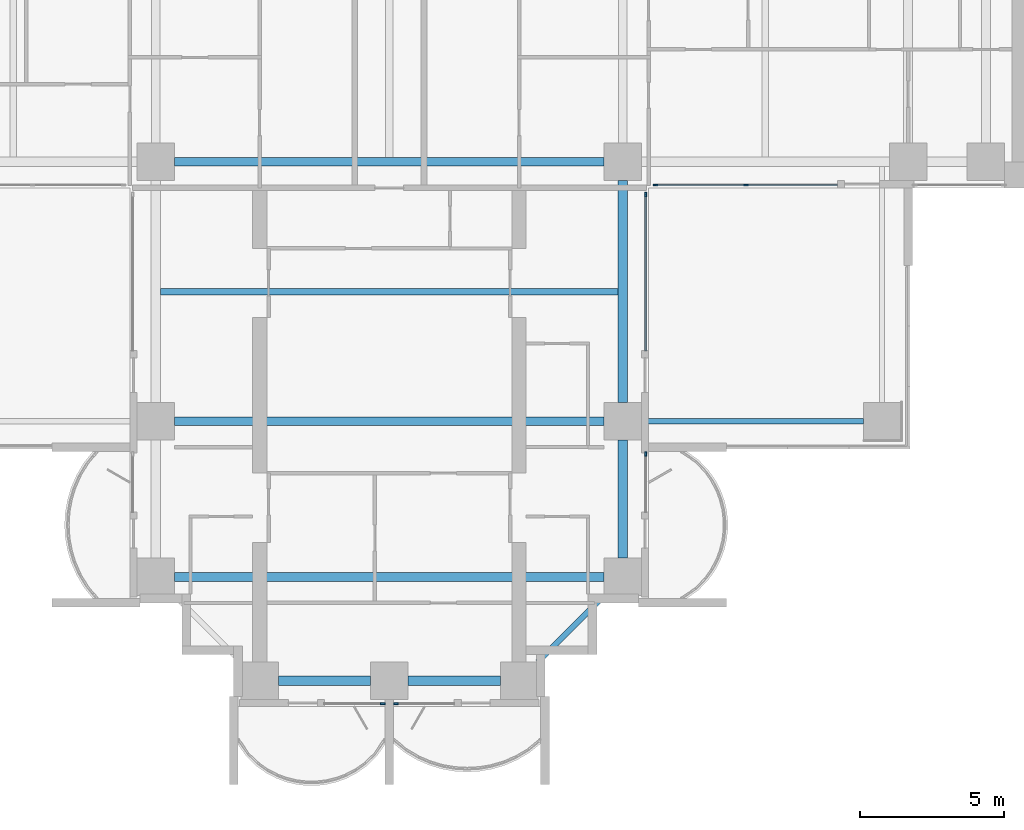
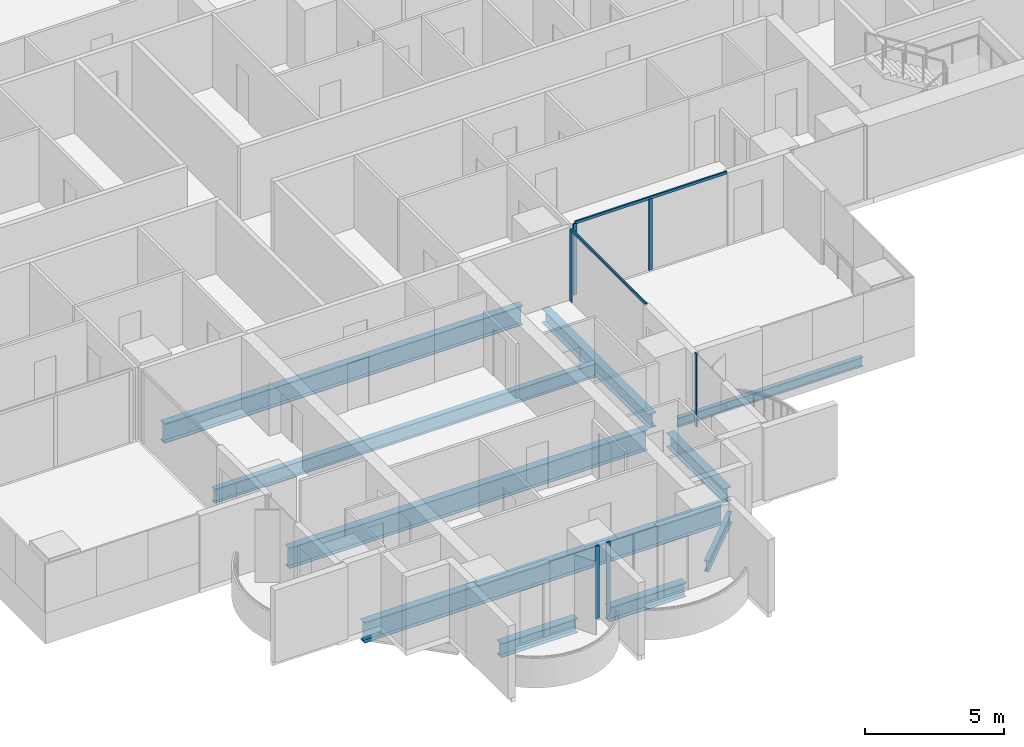
# One storey, part 3 of 21: 10 beams, 8 members, 5 elements without a shape of their own.
"""IFC4 building model written with IfcOpenShell, lengths in metres."""

from ifc_helpers import new_model, si_unit, direction, frame, origin, origin_2d, place, context, subcontext, project, spatial, rectangle, i_section, extrude, material, material_profile, profile_set, type_object, element, aggregate, save


model = new_model("IFC4")

# Units and contexts
model_context = context("Model", 3, precision=1e-05, world=origin(), true_north=direction((0.0, 1.0)))
body_context = subcontext(model_context, "Body", "Model", "MODEL_VIEW")
ifc_project = project(units=[si_unit("LENGTHUNIT", "METRE"), si_unit("AREAUNIT", "SQUARE_METRE"), si_unit("VOLUMEUNIT", "CUBIC_METRE"), si_unit("PLANEANGLEUNIT", "RADIAN"), si_unit("MASSUNIT", "GRAM", prefix="KILO")], contexts=[model_context])

# Site, building, storey
site_placement = place(None, origin())
site = spatial("IfcSite", under=ifc_project, at=site_placement, CompositionType="ELEMENT")
building_placement = place(site_placement, origin())
building = spatial("IfcBuilding", under=site, at=building_placement, Name="Perihelion Cross Residences", CompositionType="ELEMENT")
storey_placement = place(building_placement, frame((0.0, 0.0, 89.0)))
storey = spatial("IfcBuildingStorey", under=building, at=storey_placement, Name="L20", CompositionType="ELEMENT", Elevation=89.0)

# Curtain wall, member
ifc_material_1 = material(Name="Bronze anodised aluminium, tinted glazing", Category="aluminium")
curtain_wall_type = type_object("IfcCurtainWallType", Name="CW1", PredefinedType="NOTDEFINED", material=ifc_material_1)
curtain_wall_1_placement = place(storey_placement, origin())
curtain_wall_1 = element("IfcCurtainWall", 1, at=curtain_wall_1_placement, inside=storey, type_object=curtain_wall_type, Name="Curtain wall CW1 L20 south tip south bay 1", PredefinedType="NOTDEFINED")
ifc_material_2 = material(Name="Bronze anodised aluminium", Category="aluminium")
ifc_material_profile_1 = material_profile(ifc_material_2, rectangle(XDim=0.06005859375, YDim=0.159912109375, at=origin_2d()), Name="CW1 mullion")
ifc_profile_set_1 = profile_set([ifc_material_profile_1], Name="Bronze anodised aluminium")
member_type_1 = type_object("IfcMemberType", Name="CW1 mullion", PredefinedType="MULLION", material=ifc_profile_set_1)
member_1_placement = place(storey_placement, frame((-0.22998046875, -26.89990234375, 0.0), z_axis=(0.0, 0.0, 1.0), x_axis=(0.0, 1.0, 0.0)))
member_1 = element("IfcMember", 2, at=member_1_placement, type_object=member_type_1, Name="CW1 mullion 2", PredefinedType="MULLION", context=body_context, shape_type="SweptSolid", body=[
    extrude(rectangle(XDim=0.06005859375, YDim=0.159912109375, at=origin_2d()), origin(), (0.0, 0.0, 1.0), 3.199951171875),
])
aggregate(curtain_wall_1, [member_1])

curtain_wall_2_placement = place(storey_placement, origin())
curtain_wall_2 = element("IfcCurtainWall", 3, at=curtain_wall_2_placement, inside=storey, type_object=curtain_wall_type, Name="Curtain wall CW1 L20 south tip south bay 2", PredefinedType="NOTDEFINED")
member_2_placement = place(storey_placement, frame((0.22998046875, -26.89990234375, 0.0), z_axis=(0.0, 0.0, 1.0), x_axis=(0.0, 1.0, 0.0)))
member_2 = element("IfcMember", 4, at=member_2_placement, type_object=member_type_1, Name="CW1 mullion 1", PredefinedType="MULLION", context=body_context, shape_type="SweptSolid", body=[
    extrude(rectangle(XDim=0.06005859375, YDim=0.159912109375, at=origin_2d()), origin(), (0.0, 0.0, 1.0), 3.199951171875),
])
aggregate(curtain_wall_2, [member_2])

curtain_wall_3_placement = place(storey_placement, origin())
curtain_wall_3 = element("IfcCurtainWall", 5, at=curtain_wall_3_placement, inside=storey, type_object=curtain_wall_type, Name="Curtain wall CW1 L20 south side east bay 1", PredefinedType="NOTDEFINED")
member_3_placement = place(storey_placement, frame((8.89990234375, -18.22998046875, 0.0), z_axis=(0.0, 0.0, 1.0), x_axis=(-1.0, 0.0, 0.0)))
member_3 = element("IfcMember", 6, at=member_3_placement, type_object=member_type_1, Name="CW1 mullion 2", PredefinedType="MULLION", context=body_context, shape_type="SweptSolid", body=[
    extrude(rectangle(XDim=0.06005859375, YDim=0.159912109375, at=origin_2d()), origin(), (0.0, 0.0, 1.0), 3.199951171875),
])
aggregate(curtain_wall_3, [member_3])

curtain_wall_4_placement = place(storey_placement, origin())
curtain_wall_4 = element("IfcCurtainWall", 7, at=curtain_wall_4_placement, inside=storey, type_object=curtain_wall_type, Name="Curtain wall CW1 L20 south side east bay 2", PredefinedType="NOTDEFINED")
member_4_placement = place(storey_placement, frame((8.89990234375, -9.22998046875, 0.0), z_axis=(0.0, 0.0, 1.0), x_axis=(-1.0, 0.0, 0.0)))
member_4 = element("IfcMember", 8, at=member_4_placement, type_object=member_type_1, Name="CW1 mullion 2", PredefinedType="MULLION", context=body_context, shape_type="SweptSolid", body=[
    extrude(rectangle(XDim=0.06005859375, YDim=0.159912109375, at=origin_2d()), origin(), (0.0, 0.0, 1.0), 3.139892578125),
])

# Curtain wall, members
curtain_wall_5_placement = place(storey_placement, origin())
curtain_wall_5 = element("IfcCurtainWall", 9, at=curtain_wall_5_placement, inside=storey, type_object=curtain_wall_type, Name="Curtain wall CW1 L20 east side south bay 1", PredefinedType="NOTDEFINED")
member_5_placement = place(storey_placement, frame((9.22998046875, -8.89990234375, 0.0), z_axis=(0.0, 0.0, 1.0), x_axis=(0.0, 1.0, 0.0)))
member_5 = element("IfcMember", 10, at=member_5_placement, type_object=member_type_1, Name="CW1 mullion 1", PredefinedType="MULLION", context=body_context, shape_type="SweptSolid", body=[
    extrude(rectangle(XDim=0.06005859375, YDim=0.159912109375, at=origin_2d()), origin(), (0.0, 0.0, 1.0), 3.139892578125),
])
member_6_placement = place(storey_placement, frame((12.375, -8.89990234375, 0.0), z_axis=(0.0, 0.0, 1.0), x_axis=(0.0, 1.0, 0.0)))
member_6 = element("IfcMember", 11, at=member_6_placement, type_object=member_type_1, Name="CW1 mullion 2", PredefinedType="MULLION", context=body_context, shape_type="SweptSolid", body=[
    extrude(rectangle(XDim=0.06005859375, YDim=0.159912109375, at=origin_2d()), origin(), (0.0, 0.0, 1.0), 3.139892578125),
])

# Member
ifc_material_3 = material(Name="Bronze anodised aluminium", Category="aluminium")
ifc_material_profile_2 = material_profile(ifc_material_3, rectangle(XDim=0.06005859375, YDim=0.1201171875, at=origin_2d()), Name="CW1 transom")
ifc_profile_set_2 = profile_set([ifc_material_profile_2], Name="Bronze anodised aluminium")
member_type_2 = type_object("IfcMemberType", Name="CW1 transom", PredefinedType="USERDEFINED", material=ifc_profile_set_2)
member_7_placement = place(storey_placement, frame((8.89990234375, -14.64990234375, 3.169921875), z_axis=(0.0, 1.0, 0.0), x_axis=(-1.0, 0.0, 0.0)))
member_7 = element("IfcMember", 12, at=member_7_placement, type_object=member_type_2, Name="CW1 head transom", ObjectType="TRANSOM", PredefinedType="USERDEFINED", context=body_context, shape_type="SweptSolid", body=[
    extrude(rectangle(XDim=0.06005859375, YDim=0.1201171875, at=origin_2d()), origin(), (0.0, 0.0, 1.0), 5.419921875),
])

aggregate(curtain_wall_4, [member_4, member_7])

member_8_placement = place(storey_placement, frame((9.22998046875, -8.89990234375, 3.169921875), z_axis=(1.0, 0.0, 0.0), x_axis=(0.0, 1.0, 0.0)))
member_8 = element("IfcMember", 13, at=member_8_placement, type_object=member_type_2, Name="CW1 head transom", ObjectType="TRANSOM", PredefinedType="USERDEFINED", context=body_context, shape_type="SweptSolid", body=[
    extrude(rectangle(XDim=0.06005859375, YDim=0.1201171875, at=origin_2d()), origin(), (0.0, 0.0, 1.0), 6.320068359375),
])

aggregate(curtain_wall_5, [member_5, member_6, member_8])

# Beams
ifc_material_4 = material(Name="Steel S355", Category="steel")
ifc_material_profile_3 = material_profile(ifc_material_4, i_section(OverallWidth=0.177978515625, OverallDepth=0.406005859375, WebThickness=0.0078125, FlangeThickness=0.0126953125, at=origin_2d()), Name="W410x60")
ifc_profile_set_3 = profile_set([ifc_material_profile_3], Name="Steel S355")
beam_type_1 = type_object("IfcBeamType", Name="Core edge beam W410x60", PredefinedType="BEAM", material=ifc_profile_set_3)
beam_1_placement = place(storey_placement, frame((8.75, -17.10009765625, -0.452880859375), z_axis=(1.0, 0.0, 0.0), x_axis=(0.0, 1.0, 0.0)))
element("IfcBeam", 14, at=beam_1_placement, inside=storey, type_object=beam_type_1, Name="Core edge beam TB2 L20 corner no. 6", PredefinedType="BEAM", context=body_context, shape_type="SweptSolid", body=[
    extrude(i_section(OverallWidth=0.177978515625, OverallDepth=0.406005859375, WebThickness=0.0078125, FlangeThickness=0.0126953125, at=origin_2d()), origin(), (0.0, 0.0, 1.0), 7.699951171875),
])
ifc_material_5 = material(Name="Steel S355", Category="steel")
ifc_material_profile_4 = material_profile(ifc_material_5, i_section(OverallWidth=0.324951171875, OverallDepth=0.616943359375, WebThickness=0.013916015625, FlangeThickness=0.021484375, at=origin_2d()), Name="W610x174")
ifc_profile_set_4 = profile_set([ifc_material_profile_4], Name="Steel S355")
beam_type_2 = type_object("IfcBeamType", Name="Edge beam W610x174", PredefinedType="SPANDREL", material=ifc_profile_set_4)
for number, where, z_axis, x_axis, name in (
    (15, (-3.85009765625, -26.10009765625, -0.55859375), (1.0, 0.0, 0.0), (0.0, 1.0, 0.0), "Edge beam SB2 L20 no. 4"),
    (16, (0.64990234375, -26.10009765625, -0.55859375), (1.0, 0.0, 0.0), (0.0, 1.0, 0.0), "Edge beam SB2 L20 no. 10"),
):
    element("IfcBeam", number, at=place(storey_placement, frame(where, z_axis=z_axis, x_axis=x_axis)), inside=storey, type_object=beam_type_2, Name=name, PredefinedType="SPANDREL", context=body_context, shape_type="SweptSolid", body=[
        extrude(i_section(OverallWidth=0.324951171875, OverallDepth=0.616943359375, WebThickness=0.013916015625, FlangeThickness=0.021484375, at=origin_2d()), origin(), (0.0, 0.0, 1.0), 3.2001953125),
    ])
beam_2_placement = place(storey_placement, frame((8.10009765625, -21.85009765625, -0.55859375), z_axis=(0.0, 1.0, 0.0), x_axis=(-1.0, 0.0, 0.0)))
element("IfcBeam", 17, at=beam_2_placement, inside=storey, type_object=beam_type_2, Name="Edge beam SB2 L20 no. 17", PredefinedType="SPANDREL", context=body_context, shape_type="SweptSolid", body=[
    extrude(i_section(OverallWidth=0.324951171875, OverallDepth=0.616943359375, WebThickness=0.013916015625, FlangeThickness=0.021484375, at=origin_2d()), origin(), (0.0, 0.0, 1.0), 4.10009765625),
])
beam_3_placement = place(storey_placement, frame((8.10009765625, -16.449951171875, -0.55859375), z_axis=(0.0, 1.0, 0.0), x_axis=(-1.0, 0.0, 0.0)))
element("IfcBeam", 18, at=beam_3_placement, inside=storey, type_object=beam_type_2, Name="Edge beam SB2 L20 no. 16", PredefinedType="SPANDREL", context=body_context, shape_type="SweptSolid", body=[
    extrude(i_section(OverallWidth=0.324951171875, OverallDepth=0.616943359375, WebThickness=0.013916015625, FlangeThickness=0.021484375, at=origin_2d()), origin(), (0.0, 0.0, 1.0), 7.699951171875),
])
ifc_material_6 = material(Name="Steel S355", Category="steel")
ifc_material_profile_5 = material_profile(ifc_material_6, i_section(OverallWidth=0.304931640625, OverallDepth=0.904052734375, WebThickness=0.01513671875, FlangeThickness=0.02001953125, at=origin_2d()), Name="W920x201")
ifc_profile_set_5 = profile_set([ifc_material_profile_5], Name="Steel S355")
beam_type_3 = type_object("IfcBeamType", Name="Floor girder W920x201", PredefinedType="BEAM", material=ifc_profile_set_5)
for number, where, z_axis, x_axis, name in (
    (19, (-7.449951171875, -17.10009765625, -0.701904296875), (1.0, 0.0, 0.0), (0.0, 1.0, 0.0), "Girder G2 L20 no. 3"),
    (20, (-7.449951171875, -22.5, -0.701904296875), (1.0, 0.0, 0.0), (0.0, 1.0, 0.0), "Girder G2 L20 no. 4"),
):
    element("IfcBeam", number, at=place(storey_placement, frame(where, z_axis=z_axis, x_axis=x_axis)), inside=storey, type_object=beam_type_3, Name=name, PredefinedType="BEAM", context=body_context, shape_type="SweptSolid", body=[
        extrude(i_section(OverallWidth=0.304931640625, OverallDepth=0.904052734375, WebThickness=0.01513671875, FlangeThickness=0.02001953125, at=origin_2d()), origin(), (0.0, 0.0, 1.0), 14.89990234375),
    ])
ifc_material_7 = material(Name="Steel S355", Category="steel")
ifc_material_profile_6 = material_profile(ifc_material_7, i_section(OverallWidth=0.22900390625, OverallDepth=0.612060546875, WebThickness=0.011962890625, FlangeThickness=0.01953125, at=origin_2d()), Name="W610x125")
ifc_profile_set_6 = profile_set([ifc_material_profile_6], Name="Steel S355")
beam_type_4 = type_object("IfcBeamType", Name="Floor joist W610x125", PredefinedType="JOIST", material=ifc_profile_set_6)
beam_4_placement = place(storey_placement, frame((-7.9375, -12.60009765625, -0.555908203125), z_axis=(1.0, 0.0, 0.0), x_axis=(0.0, 1.0, 0.0)))
element("IfcBeam", 21, at=beam_4_placement, inside=storey, type_object=beam_type_4, Name="Joist J3 L20 no. 3", PredefinedType="JOIST", context=body_context, shape_type="SweptSolid", body=[
    extrude(i_section(OverallWidth=0.22900390625, OverallDepth=0.612060546875, WebThickness=0.011962890625, FlangeThickness=0.01953125, at=origin_2d()), origin(), (0.0, 0.0, 1.0), 15.875),
])
ifc_material_8 = material(Name="Steel S355", Category="steel")
ifc_material_profile_7 = material_profile(ifc_material_8, i_section(OverallWidth=0.2919921875, OverallDepth=0.85888671875, WebThickness=0.01708984375, FlangeThickness=0.031005859375, at=origin_2d()), Name="W840x251")
ifc_profile_set_7 = profile_set([ifc_material_profile_7], Name="Steel S355")
beam_type_5 = type_object("IfcBeamType", Name="Hub ring girder W840x251", PredefinedType="BEAM", material=ifc_profile_set_7)
beam_5_placement = place(storey_placement, frame((-7.449951171875, -8.10009765625, -0.679443359375), z_axis=(1.0, 0.0, 0.0), x_axis=(0.0, 1.0, 0.0)))
element("IfcBeam", 22, at=beam_5_placement, inside=storey, type_object=beam_type_5, Name="Hub ring girder RG2 L20 no. 1", PredefinedType="BEAM", context=body_context, shape_type="SweptSolid", body=[
    extrude(i_section(OverallWidth=0.2919921875, OverallDepth=0.85888671875, WebThickness=0.01708984375, FlangeThickness=0.031005859375, at=origin_2d()), origin(), (0.0, 0.0, 1.0), 14.89990234375),
])
ifc_material_9 = material(Name="Steel S355", Category="steel")
ifc_material_profile_8 = material_profile(ifc_material_9, i_section(OverallWidth=0.194091796875, OverallDepth=0.469970703125, WebThickness=0.0126953125, FlangeThickness=0.0205078125, at=origin_2d()), Name="W460x106")
ifc_profile_set_8 = profile_set([ifc_material_profile_8], Name="Steel S355")
beam_type_6 = type_object("IfcBeamType", Name="Serration edge beam W460x106", PredefinedType="BEAM", material=ifc_profile_set_8)
beam_6_placement = place(storey_placement, frame((5.14990234375, -25.449951171875, -0.485107421875), z_axis=(0.707106781187, 0.707106781187, 0.0), x_axis=(-0.707106781187, 0.707106781187, 0.0)))
element("IfcBeam", 23, at=beam_6_placement, inside=storey, type_object=beam_type_6, Name="Serration edge beam EB2 L20 no. 3", PredefinedType="BEAM", context=body_context, shape_type="SweptSolid", body=[
    extrude(i_section(OverallWidth=0.194091796875, OverallDepth=0.469970703125, WebThickness=0.0126953125, FlangeThickness=0.0205078125, at=origin_2d()), origin(), (0.0, 0.0, 1.0), 3.252685546875),
])

save(model, "model.ifc")
